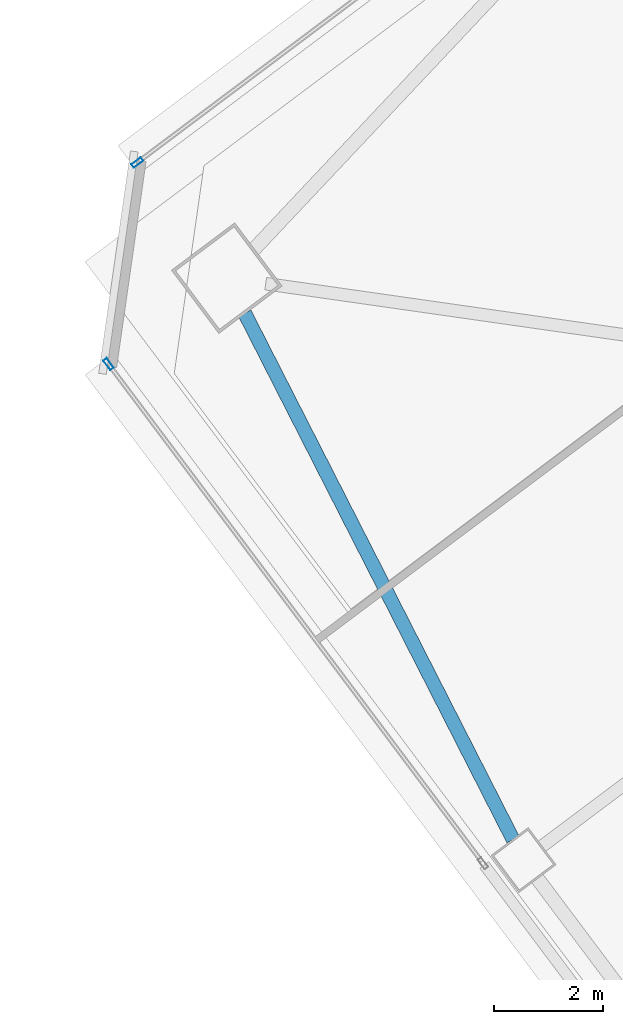
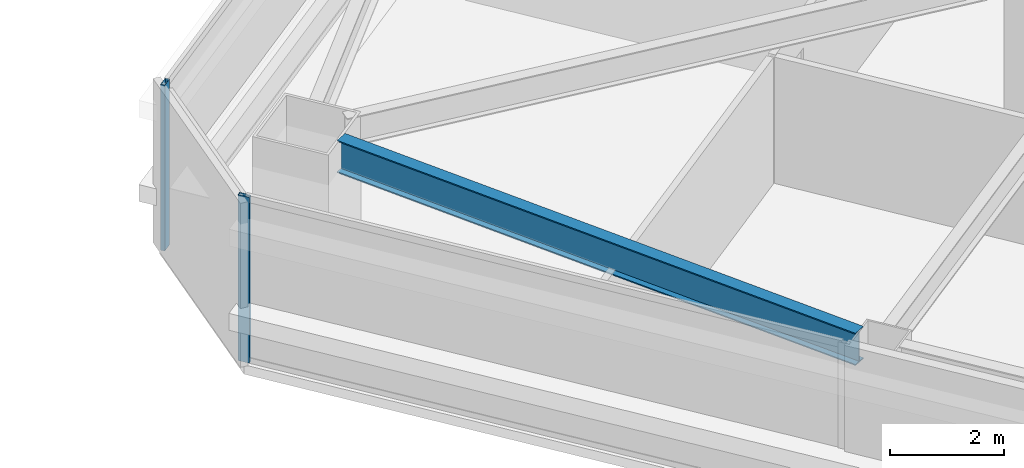
# One storey, part 21 of 46: 2 members, 1 beam, 2 elements without a shape of their own.
"""IFC4 building model written with IfcOpenShell, lengths in metres."""

from ifc_helpers import new_model, si_unit, direction, frame, origin, origin_2d, place, context, subcontext, project, spatial, hollow_rectangle, i_section, extrude, material, material_profile, profile_set, type_object, element, aggregate, save


model = new_model("IFC4")

# Units and contexts
model_context = context("Model", 3, precision=1e-05, world=origin(), true_north=direction((0.0, 1.0)))
body_context = subcontext(model_context, "Body", "Model", "MODEL_VIEW")
ifc_project = project(units=[si_unit("LENGTHUNIT", "METRE"), si_unit("AREAUNIT", "SQUARE_METRE"), si_unit("VOLUMEUNIT", "CUBIC_METRE"), si_unit("PLANEANGLEUNIT", "RADIAN"), si_unit("MASSUNIT", "GRAM", prefix="KILO")], contexts=[model_context])

# Site, building, storey
site_placement = place(None, origin())
site = spatial("IfcSite", under=ifc_project, at=site_placement, CompositionType="ELEMENT")
building_placement = place(site_placement, origin())
building = spatial("IfcBuilding", under=site, at=building_placement, Name="Tashvorn Skyway Center", CompositionType="ELEMENT")
storey_placement = place(building_placement, frame((0.0, 0.0, 99.14990234375)))
storey = spatial("IfcBuildingStorey", under=building, at=storey_placement, Name="L26", CompositionType="ELEMENT", Elevation=99.14990234375)

# Beam
ifc_material_1 = material(Name="Steel ASTM A992 Grade 50", Category="steel")
ifc_material_profile_1 = material_profile(ifc_material_1, i_section(OverallWidth=0.256103515625, OverallDepth=0.693115234375, WebThickness=0.014404296875, FlangeThickness=0.023681640625, at=origin_2d()), Name="W27X114")
ifc_profile_set_1 = profile_set([ifc_material_profile_1], Name="Steel ASTM A992 Grade 50")
beam_type = type_object("IfcBeamType", Name="BM-SPANDREL-W27X114", PredefinedType="SPANDREL", material=ifc_profile_set_1)
beam_placement = place(storey_placement, frame((90.2470703125, 34.798583984375, 3.003662109375), z_axis=(0.454210938961, -0.890894170442, 0.0), x_axis=(0.890894170442, 0.454210938961, 0.0)))
element("IfcBeam", 1, at=beam_placement, inside=storey, type_object=beam_type, Name="Tower 2 L26 Spandrel Beam 10", PredefinedType="SPANDREL", context=body_context, shape_type="SweptSolid", body=[
    extrude(i_section(OverallWidth=0.256103515625, OverallDepth=0.693115234375, WebThickness=0.014404296875, FlangeThickness=0.023681640625, at=origin_2d()), origin(), (0.0, 0.0, 1.0), 10.836669921875),
])

# Curtain wall, member
ifc_material_2 = material(Name="Thermally broken bronze-anodized aluminium 6063-T6", Category="aluminium")
curtain_wall_type = type_object("IfcCurtainWallType", Name="CW-CW-Z2", PredefinedType="NOTDEFINED", material=ifc_material_2)
curtain_wall_1_placement = place(storey_placement, origin())
curtain_wall_1 = element("IfcCurtainWall", 2, at=curtain_wall_1_placement, inside=storey, type_object=curtain_wall_type, Name="Tower 2 L26 West Unitised Curtain Wall Glazing Group 3", PredefinedType="NOTDEFINED")
ifc_material_profile_2 = material_profile(ifc_material_2, hollow_rectangle(XDim=0.080078125, YDim=0.219970703125, WallThickness=0.0048828125, at=origin_2d()), Name="ALU-MULL-80x220")
ifc_profile_set_2 = profile_set([ifc_material_profile_2], Name="Thermally broken bronze-anodized aluminium 6063-T6")
member_type = type_object("IfcMemberType", Name="CWM-CW-Z2", PredefinedType="MULLION", material=ifc_profile_set_2)
member_1_placement = place(storey_placement, frame((87.751953125, 33.864013671875, 0.0), z_axis=(0.0, 0.0, 1.0), x_axis=(-0.799999999998, -0.600000000002, 0.0)))
member_1 = element("IfcMember", 3, at=member_1_placement, type_object=member_type, Name="CW-Z2 mullion 2", PredefinedType="MULLION", context=body_context, shape_type="SweptSolid", body=[
    extrude(hollow_rectangle(XDim=0.080078125, YDim=0.219970703125, WallThickness=0.0048828125, at=origin_2d()), origin(), (0.0, 0.0, 1.0), 3.550048828125),
])
aggregate(curtain_wall_1, [member_1])

curtain_wall_2_placement = place(storey_placement, origin())
curtain_wall_2 = element("IfcCurtainWall", 4, at=curtain_wall_2_placement, inside=storey, type_object=curtain_wall_type, Name="Tower 2 L26 North Unitised Curtain Wall Glazing Group 1", PredefinedType="NOTDEFINED")
member_2_placement = place(storey_placement, frame((88.280029296875, 37.56005859375, 0.0), z_axis=(0.0, 0.0, 1.0), x_axis=(-0.600000000002, 0.799999999998, 0.0)))
member_2 = element("IfcMember", 5, at=member_2_placement, type_object=member_type, Name="CW-Z2 mullion 1", PredefinedType="MULLION", context=body_context, shape_type="SweptSolid", body=[
    extrude(hollow_rectangle(XDim=0.080078125, YDim=0.219970703125, WallThickness=0.0048828125, at=origin_2d()), origin(), (0.0, 0.0, 1.0), 3.550048828125),
])
aggregate(curtain_wall_2, [member_2])

save(model, "model.ifc")
